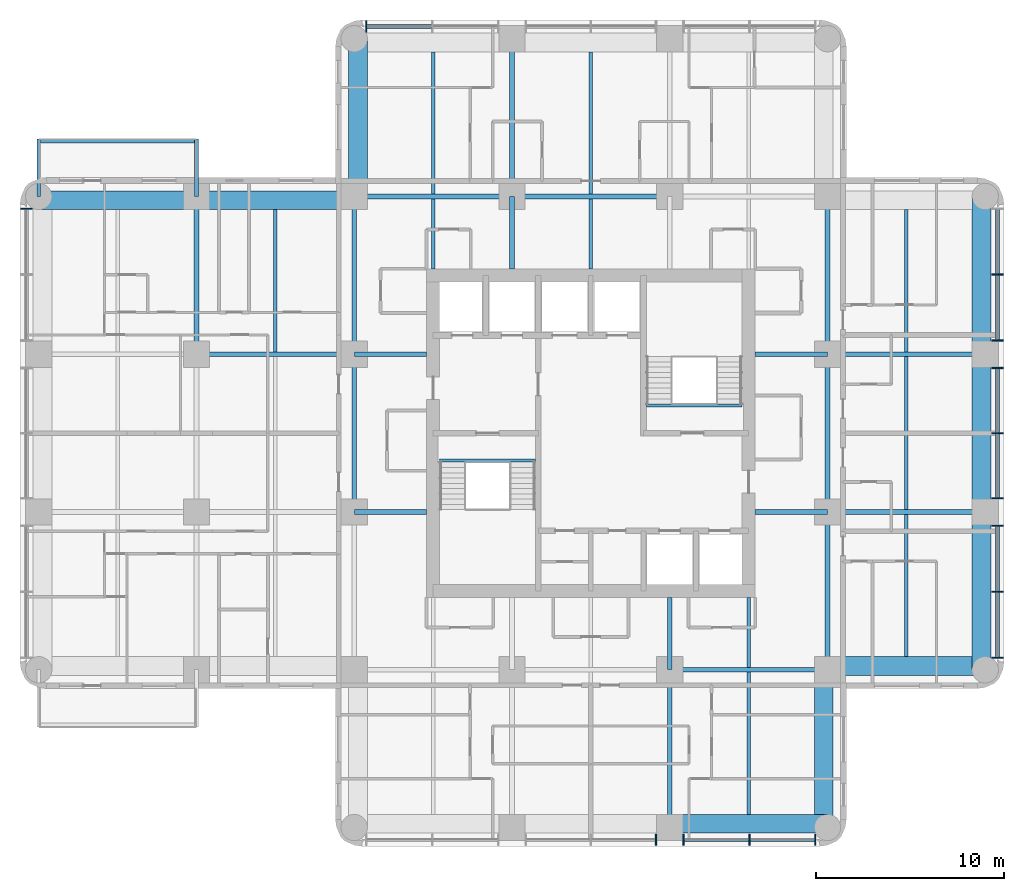
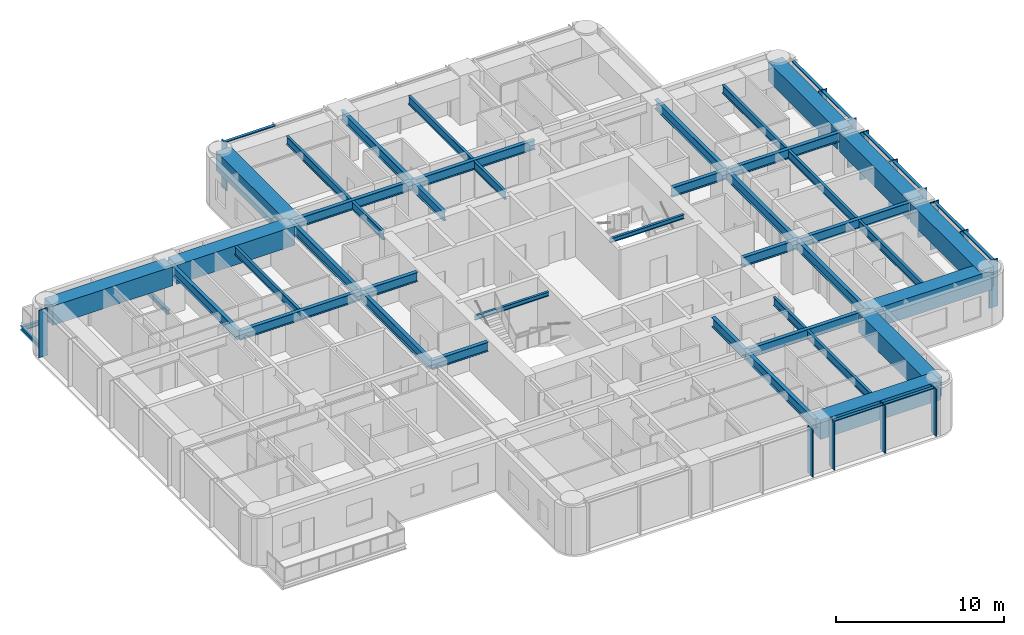
# One storey, part 2 of 12: 44 beams, 23 members, 4 elements without a shape of their own.
"""IFC4 building model written with IfcOpenShell, lengths in metres."""

from ifc_helpers import new_model, si_unit, direction, frame, origin, origin_2d, place, context, subcontext, project, spatial, rectangle, i_section, extrude, material, material_profile, profile_set, type_object, element, aggregate, save


model = new_model("IFC4")

# Units and contexts
model_context = context("Model", 3, precision=1e-05, world=origin(), true_north=direction((0.0, 1.0)))
body_context = subcontext(model_context, "Body", "Model", "MODEL_VIEW")
ifc_project = project(units=[si_unit("LENGTHUNIT", "METRE"), si_unit("AREAUNIT", "SQUARE_METRE"), si_unit("VOLUMEUNIT", "CUBIC_METRE"), si_unit("PLANEANGLEUNIT", "RADIAN"), si_unit("MASSUNIT", "GRAM", prefix="KILO")], contexts=[model_context])

# Site, building, storey
site_placement = place(None, origin())
site = spatial("IfcSite", under=ifc_project, at=site_placement, CompositionType="ELEMENT")
building_placement = place(site_placement, origin())
building = spatial("IfcBuilding", under=site, at=building_placement, Name="Torre Alcanfor", CompositionType="ELEMENT")
storey_placement = place(building_placement, frame((0.0, 0.0, 226.5)))
storey = spatial("IfcBuildingStorey", under=building, at=storey_placement, Name="L59", CompositionType="ELEMENT", Elevation=226.5)

# Beams
ifc_material_1 = material(Name="Steel ASTM A992 Grade 50", Category="steel")
ifc_material_profile_1 = material_profile(ifc_material_1, i_section(OverallWidth=0.205322265625, OverallDepth=0.309814453125, WebThickness=0.00927734375, FlangeThickness=0.016357421875, at=origin_2d()), Name="W12x50")
ifc_profile_set_1 = profile_set([ifc_material_profile_1], Name="Steel ASTM A992 Grade 50")
beam_type_1 = type_object("IfcBeamType", Name="Balcony cantilever beam W12x50", PredefinedType="BEAM", material=ifc_profile_set_1)
for number, where, z_axis, x_axis, name in (
    (1, (8.39990234375, 42.0, -0.35498046875), (0.0, 1.0, 0.0), (-1.0, 0.0, 0.0), "Balcony cantilever beam L59-W2 1"),
    (2, (0.0, 42.0, -0.35498046875), (0.0, 1.0, 0.0), (-1.0, 0.0, 0.0), "Balcony cantilever beam L59-W2 2"),
):
    element("IfcBeam", number, at=place(storey_placement, frame(where, z_axis=z_axis, x_axis=x_axis)), inside=storey, type_object=beam_type_1, Name=name, PredefinedType="BEAM", context=body_context, shape_type="SweptSolid", body=[
        extrude(i_section(OverallWidth=0.205322265625, OverallDepth=0.309814453125, WebThickness=0.00927734375, FlangeThickness=0.016357421875, at=origin_2d()), origin(), (0.0, 0.0, 1.0), 3.050048828125),
    ])
ifc_material_2 = material(Name="Steel ASTM A992 Grade 50", Category="steel")
ifc_material_profile_2 = material_profile(ifc_material_2, i_section(OverallWidth=0.203369140625, OverallDepth=0.30224609375, WebThickness=0.007568359375, FlangeThickness=0.01318359375, at=origin_2d()), Name="W12x40")
ifc_profile_set_2 = profile_set([ifc_material_profile_2], Name="Steel ASTM A992 Grade 50")
beam_type_2 = type_object("IfcBeamType", Name="Balcony edge trimmer W12x40", PredefinedType="BEAM", material=ifc_profile_set_2)
beam_1_placement = place(storey_placement, frame((8.39990234375, 44.9482421875, -0.35107421875), z_axis=(-1.0, 0.0, 0.0), x_axis=(0.0, -1.0, 0.0)))
element("IfcBeam", 3, at=beam_1_placement, inside=storey, type_object=beam_type_2, Name="Balcony edge trimmer L59-W2", PredefinedType="BEAM", context=body_context, shape_type="SweptSolid", body=[
    extrude(i_section(OverallWidth=0.203369140625, OverallDepth=0.30224609375, WebThickness=0.007568359375, FlangeThickness=0.01318359375, at=origin_2d()), origin(), (0.0, 0.0, 1.0), 8.39990234375),
])

# Curtain wall, member
ifc_material_3 = material(Name="Aluminium and glass", Category="aluminium")
curtain_wall_type = type_object("IfcCurtainWallType", Name="CW-A unitised apartment glazing with vertical FIN", PredefinedType="NOTDEFINED", material=ifc_material_3)
curtain_wall_1_placement = place(storey_placement, origin())
curtain_wall_1 = element("IfcCurtainWall", 4, at=curtain_wall_1_placement, inside=storey, type_object=curtain_wall_type, Name="Curtain wall CW-A L59 2", PredefinedType="NOTDEFINED")
ifc_material_4 = material(Name="Bronze anodised aluminium", Category="aluminium")
ifc_material_profile_3 = material_profile(ifc_material_4, rectangle(XDim=0.60009765625, YDim=0.06494140625, at=origin_2d()), Name="CW-A mullion 65x600")
ifc_profile_set_3 = profile_set([ifc_material_profile_3], Name="Bronze anodised aluminium")
member_type_1 = type_object("IfcMemberType", Name="CW-A mullion with vertical FIN 65x600", PredefinedType="MULLION", material=ifc_profile_set_3)
member_1_placement = place(storey_placement, frame((-0.64990234375, 41.35546875, 0.0), z_axis=(0.0, 0.0, 1.0), x_axis=(1.0, 0.0, 0.0)))
member_1 = element("IfcMember", 5, at=member_1_placement, type_object=member_type_1, Name="CW-A mullion 1.1", PredefinedType="MULLION", context=body_context, shape_type="SweptSolid", body=[
    extrude(rectangle(XDim=0.60009765625, YDim=0.06494140625, at=origin_2d()), origin(), (0.0, 0.0, 1.0), 3.449951171875),
])
aggregate(curtain_wall_1, [member_1])

# Curtain wall, members
curtain_wall_2_placement = place(storey_placement, origin())
curtain_wall_2 = element("IfcCurtainWall", 6, at=curtain_wall_2_placement, inside=storey, type_object=curtain_wall_type, Name="Curtain wall CW-A L59 5", PredefinedType="NOTDEFINED")
member_2_placement = place(storey_placement, frame((32.862548828125, 7.75, 0.0), z_axis=(0.0, 0.0, 1.0), x_axis=(0.0, 1.0, 0.0)))
member_2 = element("IfcMember", 7, at=member_2_placement, type_object=member_type_1, Name="CW-A mullion 2.3", PredefinedType="MULLION", context=body_context, shape_type="SweptSolid", body=[
    extrude(rectangle(XDim=0.60009765625, YDim=0.06494140625, at=origin_2d()), origin(), (0.0, 0.0, 1.0), 3.449951171875),
])
member_3_placement = place(storey_placement, frame((34.33740234375, 7.75, 0.0), z_axis=(0.0, 0.0, 1.0), x_axis=(0.0, 1.0, 0.0)))
member_3 = element("IfcMember", 8, at=member_3_placement, type_object=member_type_1, Name="CW-A mullion 3.1", PredefinedType="MULLION", context=body_context, shape_type="SweptSolid", body=[
    extrude(rectangle(XDim=0.60009765625, YDim=0.06494140625, at=origin_2d()), origin(), (0.0, 0.0, 1.0), 3.449951171875),
])
member_4_placement = place(storey_placement, frame((37.846435546875, 7.75, 0.0), z_axis=(0.0, 0.0, 1.0), x_axis=(0.0, 1.0, 0.0)))
member_4 = element("IfcMember", 9, at=member_4_placement, type_object=member_type_1, Name="CW-A mullion 3.2", PredefinedType="MULLION", context=body_context, shape_type="SweptSolid", body=[
    extrude(rectangle(XDim=0.60009765625, YDim=0.06494140625, at=origin_2d()), origin(), (0.0, 0.0, 1.0), 3.449951171875),
])
member_5_placement = place(storey_placement, frame((41.35546875, 7.75, 0.0), z_axis=(0.0, 0.0, 1.0), x_axis=(0.0, 1.0, 0.0)))
member_5 = element("IfcMember", 10, at=member_5_placement, type_object=member_type_1, Name="CW-A mullion 3.3", PredefinedType="MULLION", context=body_context, shape_type="SweptSolid", body=[
    extrude(rectangle(XDim=0.60009765625, YDim=0.06494140625, at=origin_2d()), origin(), (0.0, 0.0, 1.0), 3.449951171875),
])

curtain_wall_3_placement = place(storey_placement, origin())
curtain_wall_3 = element("IfcCurtainWall", 11, at=curtain_wall_3_placement, inside=storey, type_object=curtain_wall_type, Name="Curtain wall CW-A L59 8", PredefinedType="NOTDEFINED")
member_6_placement = place(storey_placement, frame((51.050048828125, 17.444580078125, 0.0), z_axis=(0.0, 0.0, 1.0), x_axis=(-1.0, 0.0, 0.0)))
member_6 = element("IfcMember", 12, at=member_6_placement, type_object=member_type_1, Name="CW-A mullion 1.1", PredefinedType="MULLION", context=body_context, shape_type="SweptSolid", body=[
    extrude(rectangle(XDim=0.60009765625, YDim=0.06494140625, at=origin_2d()), origin(), (0.0, 0.0, 1.0), 3.449951171875),
])
member_7_placement = place(storey_placement, frame((51.050048828125, 20.95361328125, 0.0), z_axis=(0.0, 0.0, 1.0), x_axis=(-1.0, 0.0, 0.0)))
member_7 = element("IfcMember", 13, at=member_7_placement, type_object=member_type_1, Name="CW-A mullion 1.2", PredefinedType="MULLION", context=body_context, shape_type="SweptSolid", body=[
    extrude(rectangle(XDim=0.60009765625, YDim=0.06494140625, at=origin_2d()), origin(), (0.0, 0.0, 1.0), 3.449951171875),
])
member_8_placement = place(storey_placement, frame((51.050048828125, 24.46240234375, 0.0), z_axis=(0.0, 0.0, 1.0), x_axis=(-1.0, 0.0, 0.0)))
member_8 = element("IfcMember", 14, at=member_8_placement, type_object=member_type_1, Name="CW-A mullion 1.3", PredefinedType="MULLION", context=body_context, shape_type="SweptSolid", body=[
    extrude(rectangle(XDim=0.60009765625, YDim=0.06494140625, at=origin_2d()), origin(), (0.0, 0.0, 1.0), 3.449951171875),
])
member_9_placement = place(storey_placement, frame((51.050048828125, 25.9375, 0.0), z_axis=(0.0, 0.0, 1.0), x_axis=(-1.0, 0.0, 0.0)))
member_9 = element("IfcMember", 15, at=member_9_placement, type_object=member_type_1, Name="CW-A mullion 2.1", PredefinedType="MULLION", context=body_context, shape_type="SweptSolid", body=[
    extrude(rectangle(XDim=0.60009765625, YDim=0.06494140625, at=origin_2d()), origin(), (0.0, 0.0, 1.0), 3.449951171875),
])
member_10_placement = place(storey_placement, frame((51.050048828125, 29.39990234375, 0.0), z_axis=(0.0, 0.0, 1.0), x_axis=(-1.0, 0.0, 0.0)))
member_10 = element("IfcMember", 16, at=member_10_placement, type_object=member_type_1, Name="CW-A mullion 2.2", PredefinedType="MULLION", context=body_context, shape_type="SweptSolid", body=[
    extrude(rectangle(XDim=0.60009765625, YDim=0.06494140625, at=origin_2d()), origin(), (0.0, 0.0, 1.0), 3.449951171875),
])
member_11_placement = place(storey_placement, frame((51.050048828125, 32.862548828125, 0.0), z_axis=(0.0, 0.0, 1.0), x_axis=(-1.0, 0.0, 0.0)))
member_11 = element("IfcMember", 17, at=member_11_placement, type_object=member_type_1, Name="CW-A mullion 2.3", PredefinedType="MULLION", context=body_context, shape_type="SweptSolid", body=[
    extrude(rectangle(XDim=0.60009765625, YDim=0.06494140625, at=origin_2d()), origin(), (0.0, 0.0, 1.0), 3.449951171875),
])
member_12_placement = place(storey_placement, frame((51.050048828125, 34.33740234375, 0.0), z_axis=(0.0, 0.0, 1.0), x_axis=(-1.0, 0.0, 0.0)))
member_12 = element("IfcMember", 18, at=member_12_placement, type_object=member_type_1, Name="CW-A mullion 3.1", PredefinedType="MULLION", context=body_context, shape_type="SweptSolid", body=[
    extrude(rectangle(XDim=0.60009765625, YDim=0.06494140625, at=origin_2d()), origin(), (0.0, 0.0, 1.0), 3.449951171875),
])
member_13_placement = place(storey_placement, frame((51.050048828125, 37.846435546875, 0.0), z_axis=(0.0, 0.0, 1.0), x_axis=(-1.0, 0.0, 0.0)))
member_13 = element("IfcMember", 19, at=member_13_placement, type_object=member_type_1, Name="CW-A mullion 3.2", PredefinedType="MULLION", context=body_context, shape_type="SweptSolid", body=[
    extrude(rectangle(XDim=0.60009765625, YDim=0.06494140625, at=origin_2d()), origin(), (0.0, 0.0, 1.0), 3.449951171875),
])

# Curtain wall, member
curtain_wall_4_placement = place(storey_placement, origin())
curtain_wall_4 = element("IfcCurtainWall", 20, at=curtain_wall_4_placement, inside=storey, type_object=curtain_wall_type, Name="Curtain wall CW-A L59 11", PredefinedType="NOTDEFINED")
member_14_placement = place(storey_placement, frame((17.444580078125, 51.050048828125, 0.0), z_axis=(0.0, 0.0, 1.0), x_axis=(0.0, -1.0, 0.0)))
member_14 = element("IfcMember", 21, at=member_14_placement, type_object=member_type_1, Name="CW-A mullion 3.3", PredefinedType="MULLION", context=body_context, shape_type="SweptSolid", body=[
    extrude(rectangle(XDim=0.60009765625, YDim=0.06494140625, at=origin_2d()), origin(), (0.0, 0.0, 1.0), 3.449951171875),
])

# Member
ifc_material_5 = material(Name="Extruded aluminium", Category="aluminium")
ifc_material_profile_4 = material_profile(ifc_material_5, rectangle(XDim=0.199951171875, YDim=0.06494140625, at=origin_2d()), Name="CW-A transom 200x65")
ifc_profile_set_4 = profile_set([ifc_material_profile_4], Name="Extruded aluminium")
member_type_2 = type_object("IfcMemberType", Name="CW-A transom 65x200", PredefinedType="USERDEFINED", material=ifc_profile_set_4)
member_15_placement = place(storey_placement, frame((34.3701171875, 7.75, 3.41748046875), z_axis=(1.0, 0.0, 0.0), x_axis=(0.0, 1.0, 0.0)))
member_15 = element("IfcMember", 22, at=member_15_placement, type_object=member_type_2, Name="CW-A transom 3.1.2", ObjectType="TRANSOM", PredefinedType="USERDEFINED", context=body_context, shape_type="SweptSolid", body=[
    extrude(rectangle(XDim=0.199951171875, YDim=0.06494140625, at=origin_2d()), origin(), (0.0, 0.0, 1.0), 3.44384765625),
])

member_16_placement = place(storey_placement, frame((37.87890625, 7.75, 3.41748046875), z_axis=(1.0, 0.0, 0.0), x_axis=(0.0, 1.0, 0.0)))
member_16 = element("IfcMember", 23, at=member_16_placement, type_object=member_type_2, Name="CW-A transom 3.2.2", ObjectType="TRANSOM", PredefinedType="USERDEFINED", context=body_context, shape_type="SweptSolid", body=[
    extrude(rectangle(XDim=0.199951171875, YDim=0.06494140625, at=origin_2d()), origin(), (0.0, 0.0, 1.0), 3.444091796875),
])

aggregate(curtain_wall_2, [member_2, member_3, member_4, member_5, member_15, member_16])

member_17_placement = place(storey_placement, frame((51.050048828125, 17.47705078125, 3.41748046875), z_axis=(0.0, 1.0, 0.0), x_axis=(-1.0, 0.0, 0.0)))
member_17 = element("IfcMember", 24, at=member_17_placement, type_object=member_type_2, Name="CW-A transom 1.1.2", ObjectType="TRANSOM", PredefinedType="USERDEFINED", context=body_context, shape_type="SweptSolid", body=[
    extrude(rectangle(XDim=0.199951171875, YDim=0.06494140625, at=origin_2d()), origin(), (0.0, 0.0, 1.0), 3.44384765625),
])

member_18_placement = place(storey_placement, frame((51.050048828125, 20.986083984375, 3.41748046875), z_axis=(0.0, 1.0, 0.0), x_axis=(-1.0, 0.0, 0.0)))
member_18 = element("IfcMember", 25, at=member_18_placement, type_object=member_type_2, Name="CW-A transom 1.2.2", ObjectType="TRANSOM", PredefinedType="USERDEFINED", context=body_context, shape_type="SweptSolid", body=[
    extrude(rectangle(XDim=0.199951171875, YDim=0.06494140625, at=origin_2d()), origin(), (0.0, 0.0, 1.0), 3.44384765625),
])

member_19_placement = place(storey_placement, frame((51.050048828125, 25.969970703125, 3.41748046875), z_axis=(0.0, 1.0, 0.0), x_axis=(-1.0, 0.0, 0.0)))
member_19 = element("IfcMember", 26, at=member_19_placement, type_object=member_type_2, Name="CW-A transom 2.1.2", ObjectType="TRANSOM", PredefinedType="USERDEFINED", context=body_context, shape_type="SweptSolid", body=[
    extrude(rectangle(XDim=0.199951171875, YDim=0.06494140625, at=origin_2d()), origin(), (0.0, 0.0, 1.0), 3.3974609375),
])

member_20_placement = place(storey_placement, frame((51.050048828125, 29.4326171875, 3.41748046875), z_axis=(0.0, 1.0, 0.0), x_axis=(-1.0, 0.0, 0.0)))
member_20 = element("IfcMember", 27, at=member_20_placement, type_object=member_type_2, Name="CW-A transom 2.2.2", ObjectType="TRANSOM", PredefinedType="USERDEFINED", context=body_context, shape_type="SweptSolid", body=[
    extrude(rectangle(XDim=0.199951171875, YDim=0.06494140625, at=origin_2d()), origin(), (0.0, 0.0, 1.0), 3.3974609375),
])

member_21_placement = place(storey_placement, frame((51.050048828125, 34.3701171875, 3.41748046875), z_axis=(0.0, 1.0, 0.0), x_axis=(-1.0, 0.0, 0.0)))
member_21 = element("IfcMember", 28, at=member_21_placement, type_object=member_type_2, Name="CW-A transom 3.1.2", ObjectType="TRANSOM", PredefinedType="USERDEFINED", context=body_context, shape_type="SweptSolid", body=[
    extrude(rectangle(XDim=0.199951171875, YDim=0.06494140625, at=origin_2d()), origin(), (0.0, 0.0, 1.0), 3.44384765625),
])

member_22_placement = place(storey_placement, frame((51.050048828125, 37.87890625, 3.41748046875), z_axis=(0.0, 1.0, 0.0), x_axis=(-1.0, 0.0, 0.0)))
member_22 = element("IfcMember", 29, at=member_22_placement, type_object=member_type_2, Name="CW-A transom 3.2.2", ObjectType="TRANSOM", PredefinedType="USERDEFINED", context=body_context, shape_type="SweptSolid", body=[
    extrude(rectangle(XDim=0.199951171875, YDim=0.06494140625, at=origin_2d()), origin(), (0.0, 0.0, 1.0), 3.444091796875),
])

aggregate(curtain_wall_3, [member_6, member_7, member_8, member_17, member_18, member_9, member_10, member_11, member_19, member_20, member_12, member_13, member_21, member_22])

member_23_placement = place(storey_placement, frame((20.9208984375, 51.050048828125, 3.41748046875), z_axis=(-1.0, 0.0, 0.0), x_axis=(0.0, -1.0, 0.0)))
member_23 = element("IfcMember", 30, at=member_23_placement, type_object=member_type_2, Name="CW-A transom 3.2.2", ObjectType="TRANSOM", PredefinedType="USERDEFINED", context=body_context, shape_type="SweptSolid", body=[
    extrude(rectangle(XDim=0.199951171875, YDim=0.06494140625, at=origin_2d()), origin(), (0.0, 0.0, 1.0), 3.44384765625),
])

aggregate(curtain_wall_4, [member_14, member_23])

# Beams
ifc_material_6 = material(Name="Steel ASTM A992 Grade 50", Category="steel")
ifc_material_profile_5 = material_profile(ifc_material_6, i_section(OverallWidth=0.25390625, OverallDepth=0.683349609375, WebThickness=0.012451171875, FlangeThickness=0.01904296875, at=origin_2d()), Name="W27x94")
ifc_profile_set_5 = profile_set([ifc_material_profile_5], Name="Steel ASTM A992 Grade 50")
beam_type_3 = type_object("IfcBeamType", Name="Girder W27x94", PredefinedType="BEAM", material=ifc_profile_set_5)
for number, where, z_axis, x_axis, name in (
    (31, (33.60009765625, 16.800048828125, 3.1083984375), (1.0, 0.0, 0.0), (0.0, 1.0, 0.0), "Beam 5E-6E under L60"),
    (32, (42.0, 25.199951171875, 3.1083984375), (1.0, 0.0, 0.0), (0.0, 1.0, 0.0), "Beam 6F-7F under L60"),
):
    element("IfcBeam", number, at=place(storey_placement, frame(where, z_axis=z_axis, x_axis=x_axis)), inside=storey, type_object=beam_type_3, Name=name, PredefinedType="BEAM", context=body_context, shape_type="SweptSolid", body=[
        extrude(i_section(OverallWidth=0.25390625, OverallDepth=0.683349609375, WebThickness=0.012451171875, FlangeThickness=0.01904296875, at=origin_2d()), origin(), (0.0, 0.0, 1.0), 8.39990234375),
    ])
beam_2_placement = place(storey_placement, frame((8.39990234375, 33.60009765625, 3.1083984375), z_axis=(1.0, 0.0, 0.0), x_axis=(0.0, 1.0, 0.0)))
element("IfcBeam", 33, at=beam_2_placement, inside=storey, type_object=beam_type_3, Name="Beam 2G-3G under L60", PredefinedType="BEAM", context=body_context, shape_type="SweptSolid", body=[
    extrude(i_section(OverallWidth=0.25390625, OverallDepth=0.683349609375, WebThickness=0.012451171875, FlangeThickness=0.01904296875, at=origin_2d()), origin(), (0.0, 0.0, 1.0), 8.400146484375),
])
for number, where, z_axis, x_axis, name in (
    (34, (42.0, 33.60009765625, 3.1083984375), (1.0, 0.0, 0.0), (0.0, 1.0, 0.0), "Beam 6G-7G under L60"),
    (35, (16.800048828125, 42.0, 3.1083984375), (1.0, 0.0, 0.0), (0.0, 1.0, 0.0), "Beam 3H-4H under L60"),
):
    element("IfcBeam", number, at=place(storey_placement, frame(where, z_axis=z_axis, x_axis=x_axis)), inside=storey, type_object=beam_type_3, Name=name, PredefinedType="BEAM", context=body_context, shape_type="SweptSolid", body=[
        extrude(i_section(OverallWidth=0.25390625, OverallDepth=0.683349609375, WebThickness=0.012451171875, FlangeThickness=0.01904296875, at=origin_2d()), origin(), (0.0, 0.0, 1.0), 8.39990234375),
    ])
beam_3_placement = place(storey_placement, frame((25.199951171875, 42.0, 3.1083984375), z_axis=(1.0, 0.0, 0.0), x_axis=(0.0, 1.0, 0.0)))
element("IfcBeam", 36, at=beam_3_placement, inside=storey, type_object=beam_type_3, Name="Beam 4H-5H under L60", PredefinedType="BEAM", context=body_context, shape_type="SweptSolid", body=[
    extrude(i_section(OverallWidth=0.25390625, OverallDepth=0.683349609375, WebThickness=0.012451171875, FlangeThickness=0.01904296875, at=origin_2d()), origin(), (0.0, 0.0, 1.0), 8.400146484375),
])
beam_4_placement = place(storey_placement, frame((8.39990234375, 33.60009765625, 3.1083984375), z_axis=(0.0, 1.0, 0.0), x_axis=(-1.0, 0.0, 0.0)))
element("IfcBeam", 37, at=beam_4_placement, inside=storey, type_object=beam_type_3, Name="Beam 2G-2H under L60", PredefinedType="BEAM", context=body_context, shape_type="SweptSolid", body=[
    extrude(i_section(OverallWidth=0.25390625, OverallDepth=0.683349609375, WebThickness=0.012451171875, FlangeThickness=0.01904296875, at=origin_2d()), origin(), (0.0, 0.0, 1.0), 8.39990234375),
])
beam_5_placement = place(storey_placement, frame((16.800048828125, 25.199951171875, 3.1083984375), z_axis=(0.0, 1.0, 0.0), x_axis=(-1.0, 0.0, 0.0)))
element("IfcBeam", 38, at=beam_5_placement, inside=storey, type_object=beam_type_3, Name="Beam 3F-3G under L60", PredefinedType="BEAM", context=body_context, shape_type="SweptSolid", body=[
    extrude(i_section(OverallWidth=0.25390625, OverallDepth=0.683349609375, WebThickness=0.012451171875, FlangeThickness=0.01904296875, at=origin_2d()), origin(), (0.0, 0.0, 1.0), 8.400146484375),
])
for number, where, z_axis, x_axis, name in (
    (39, (16.800048828125, 33.60009765625, 3.1083984375), (0.0, 1.0, 0.0), (-1.0, 0.0, 0.0), "Beam 3G-3H under L60"),
    (40, (25.199951171875, 42.0, 3.1083984375), (0.0, 1.0, 0.0), (-1.0, 0.0, 0.0), "Beam 4H-4J under L60"),
):
    element("IfcBeam", number, at=place(storey_placement, frame(where, z_axis=z_axis, x_axis=x_axis)), inside=storey, type_object=beam_type_3, Name=name, PredefinedType="BEAM", context=body_context, shape_type="SweptSolid", body=[
        extrude(i_section(OverallWidth=0.25390625, OverallDepth=0.683349609375, WebThickness=0.012451171875, FlangeThickness=0.01904296875, at=origin_2d()), origin(), (0.0, 0.0, 1.0), 8.39990234375),
    ])
beam_6_placement = place(storey_placement, frame((33.60009765625, 8.39990234375, 3.1083984375), z_axis=(0.0, 1.0, 0.0), x_axis=(-1.0, 0.0, 0.0)))
element("IfcBeam", 41, at=beam_6_placement, inside=storey, type_object=beam_type_3, Name="Beam 5D-5E under L60", PredefinedType="BEAM", context=body_context, shape_type="SweptSolid", body=[
    extrude(i_section(OverallWidth=0.25390625, OverallDepth=0.683349609375, WebThickness=0.012451171875, FlangeThickness=0.01904296875, at=origin_2d()), origin(), (0.0, 0.0, 1.0), 8.400146484375),
])
beam_7_placement = place(storey_placement, frame((42.0, 16.800048828125, 3.1083984375), z_axis=(0.0, 1.0, 0.0), x_axis=(-1.0, 0.0, 0.0)))
element("IfcBeam", 42, at=beam_7_placement, inside=storey, type_object=beam_type_3, Name="Beam 6E-6F under L60", PredefinedType="BEAM", context=body_context, shape_type="SweptSolid", body=[
    extrude(i_section(OverallWidth=0.25390625, OverallDepth=0.683349609375, WebThickness=0.012451171875, FlangeThickness=0.01904296875, at=origin_2d()), origin(), (0.0, 0.0, 1.0), 8.39990234375),
])
beam_8_placement = place(storey_placement, frame((42.0, 25.199951171875, 3.1083984375), z_axis=(0.0, 1.0, 0.0), x_axis=(-1.0, 0.0, 0.0)))
element("IfcBeam", 43, at=beam_8_placement, inside=storey, type_object=beam_type_3, Name="Beam 6F-6G under L60", PredefinedType="BEAM", context=body_context, shape_type="SweptSolid", body=[
    extrude(i_section(OverallWidth=0.25390625, OverallDepth=0.683349609375, WebThickness=0.012451171875, FlangeThickness=0.01904296875, at=origin_2d()), origin(), (0.0, 0.0, 1.0), 8.400146484375),
])
beam_9_placement = place(storey_placement, frame((42.0, 33.60009765625, 3.1083984375), z_axis=(0.0, 1.0, 0.0), x_axis=(-1.0, 0.0, 0.0)))
element("IfcBeam", 44, at=beam_9_placement, inside=storey, type_object=beam_type_3, Name="Beam 6G-6H under L60", PredefinedType="BEAM", context=body_context, shape_type="SweptSolid", body=[
    extrude(i_section(OverallWidth=0.25390625, OverallDepth=0.683349609375, WebThickness=0.012451171875, FlangeThickness=0.01904296875, at=origin_2d()), origin(), (0.0, 0.0, 1.0), 8.39990234375),
])
ifc_material_7 = material(Name="Steel ASTM A992 Grade 50", Category="steel")
ifc_material_profile_6 = material_profile(ifc_material_7, i_section(OverallWidth=0.25390625, OverallDepth=0.683349609375, WebThickness=0.012451171875, FlangeThickness=0.01904296875, at=origin_2d()), Name="W27x94")
ifc_profile_set_6 = profile_set([ifc_material_profile_6], Name="Steel ASTM A992 Grade 50")
beam_type_4 = type_object("IfcBeamType", Name="Girder, part bay W27x94", PredefinedType="BEAM", material=ifc_profile_set_6)
beam_10_placement = place(storey_placement, frame((25.199951171875, 42.0, 3.1083984375), z_axis=(0.0, -1.0, 0.0), x_axis=(1.0, 0.0, 0.0)))
element("IfcBeam", 45, at=beam_10_placement, inside=storey, type_object=beam_type_4, Name="Beam 4H-438_15 under L60", PredefinedType="BEAM", context=body_context, shape_type="SweptSolid", body=[
    extrude(i_section(OverallWidth=0.25390625, OverallDepth=0.683349609375, WebThickness=0.012451171875, FlangeThickness=0.01904296875, at=origin_2d()), origin(), (0.0, 0.0, 1.0), 3.85009765625),
])
for number, where, z_axis, x_axis, name in (
    (46, (33.60009765625, 16.800048828125, 3.1083984375), (0.0, 1.0, 0.0), (-1.0, 0.0, 0.0), "Beam 5E-520_65 under L60"),
    (47, (16.800048828125, 25.199951171875, 3.1083984375), (1.0, 0.0, 0.0), (0.0, 1.0, 0.0), "Beam 3F-20_65F under L60"),
):
    element("IfcBeam", number, at=place(storey_placement, frame(where, z_axis=z_axis, x_axis=x_axis)), inside=storey, type_object=beam_type_4, Name=name, PredefinedType="BEAM", context=body_context, shape_type="SweptSolid", body=[
        extrude(i_section(OverallWidth=0.25390625, OverallDepth=0.683349609375, WebThickness=0.012451171875, FlangeThickness=0.01904296875, at=origin_2d()), origin(), (0.0, 0.0, 1.0), 3.849853515625),
    ])
beam_11_placement = place(storey_placement, frame((42.0, 25.199951171875, 3.1083984375), z_axis=(-1.0, 0.0, 0.0), x_axis=(0.0, -1.0, 0.0)))
element("IfcBeam", 48, at=beam_11_placement, inside=storey, type_object=beam_type_4, Name="Beam 6F-38_15F under L60", PredefinedType="BEAM", context=body_context, shape_type="SweptSolid", body=[
    extrude(i_section(OverallWidth=0.25390625, OverallDepth=0.683349609375, WebThickness=0.012451171875, FlangeThickness=0.01904296875, at=origin_2d()), origin(), (0.0, 0.0, 1.0), 3.85009765625),
])
beam_12_placement = place(storey_placement, frame((16.800048828125, 33.60009765625, 3.1083984375), z_axis=(1.0, 0.0, 0.0), x_axis=(0.0, 1.0, 0.0)))
element("IfcBeam", 49, at=beam_12_placement, inside=storey, type_object=beam_type_4, Name="Beam 3G-20_65G under L60", PredefinedType="BEAM", context=body_context, shape_type="SweptSolid", body=[
    extrude(i_section(OverallWidth=0.25390625, OverallDepth=0.683349609375, WebThickness=0.012451171875, FlangeThickness=0.01904296875, at=origin_2d()), origin(), (0.0, 0.0, 1.0), 3.849853515625),
])
beam_13_placement = place(storey_placement, frame((42.0, 33.60009765625, 3.1083984375), z_axis=(-1.0, 0.0, 0.0), x_axis=(0.0, -1.0, 0.0)))
element("IfcBeam", 50, at=beam_13_placement, inside=storey, type_object=beam_type_4, Name="Beam 6G-38_15G under L60", PredefinedType="BEAM", context=body_context, shape_type="SweptSolid", body=[
    extrude(i_section(OverallWidth=0.25390625, OverallDepth=0.683349609375, WebThickness=0.012451171875, FlangeThickness=0.01904296875, at=origin_2d()), origin(), (0.0, 0.0, 1.0), 3.85009765625),
])
ifc_material_8 = material(Name="Concrete f'c 70 MPa", Category="concrete")
ifc_material_profile_7 = material_profile(ifc_material_8, rectangle(XDim=1.0, YDim=1.39990234375, at=origin_2d()), Name="1000x1400")
ifc_profile_set_7 = profile_set([ifc_material_profile_7], Name="Concrete f'c 70 MPa")
beam_type_5 = type_object("IfcBeamType", Name="RC perimeter beam 1000x1400", PredefinedType="BEAM", material=ifc_profile_set_7)
for number, where, z_axis, x_axis, name in (
    (51, (33.72705078125, 8.60009765625, 2.75), (1.0, 0.0, 0.0), (0.0, 1.0, 0.0), "Beam 5D-6D under L60"),
    (52, (42.126953125, 17.0, 2.75), (1.0, 0.0, 0.0), (0.0, 1.0, 0.0), "Beam 6E-7E under L60"),
    (53, (0.0, 41.800048828125, 2.75), (1.0, 0.0, 0.0), (0.0, 1.0, 0.0), "Beam 1H-2H under L60"),
):
    element("IfcBeam", number, at=place(storey_placement, frame(where, z_axis=z_axis, x_axis=x_axis)), inside=storey, type_object=beam_type_5, Name=name, PredefinedType="BEAM", context=body_context, shape_type="SweptSolid", body=[
        extrude(rectangle(XDim=1.0, YDim=1.39990234375, at=origin_2d()), origin(), (0.0, 0.0, 1.0), 8.27294921875),
    ])
beam_14_placement = place(storey_placement, frame((8.527099609375, 41.800048828125, 2.75), z_axis=(1.0, 0.0, 0.0), x_axis=(0.0, 1.0, 0.0)))
element("IfcBeam", 54, at=beam_14_placement, inside=storey, type_object=beam_type_5, Name="Beam 2H-3H under L60", PredefinedType="BEAM", context=body_context, shape_type="SweptSolid", body=[
    extrude(rectangle(XDim=1.0, YDim=1.39990234375, at=origin_2d()), origin(), (0.0, 0.0, 1.0), 8.14599609375),
])
beam_15_placement = place(storey_placement, frame((17.0, 42.126953125, 2.75), z_axis=(0.0, 1.0, 0.0), x_axis=(-1.0, 0.0, 0.0)))
element("IfcBeam", 55, at=beam_15_placement, inside=storey, type_object=beam_type_5, Name="Beam 3H-3J under L60", PredefinedType="BEAM", context=body_context, shape_type="SweptSolid", body=[
    extrude(rectangle(XDim=1.0, YDim=1.39990234375, at=origin_2d()), origin(), (0.0, 0.0, 1.0), 8.27294921875),
])
beam_16_placement = place(storey_placement, frame((41.800048828125, 8.39990234375, 2.75), z_axis=(0.0, 1.0, 0.0), x_axis=(-1.0, 0.0, 0.0)))
element("IfcBeam", 56, at=beam_16_placement, inside=storey, type_object=beam_type_5, Name="Beam 6D-6E under L60", PredefinedType="BEAM", context=body_context, shape_type="SweptSolid", body=[
    extrude(rectangle(XDim=1.0, YDim=1.39990234375, at=origin_2d()), origin(), (0.0, 0.0, 1.0), 8.273193359375),
])
beam_17_placement = place(storey_placement, frame((50.199951171875, 16.800048828125, 2.75), z_axis=(0.0, 1.0, 0.0), x_axis=(-1.0, 0.0, 0.0)))
element("IfcBeam", 57, at=beam_17_placement, inside=storey, type_object=beam_type_5, Name="Beam 7E-7F under L60", PredefinedType="BEAM", context=body_context, shape_type="SweptSolid", body=[
    extrude(rectangle(XDim=1.0, YDim=1.39990234375, at=origin_2d()), origin(), (0.0, 0.0, 1.0), 8.27294921875),
])
beam_18_placement = place(storey_placement, frame((50.199951171875, 25.326904296875, 2.75), z_axis=(0.0, 1.0, 0.0), x_axis=(-1.0, 0.0, 0.0)))
element("IfcBeam", 58, at=beam_18_placement, inside=storey, type_object=beam_type_5, Name="Beam 7F-7G under L60", PredefinedType="BEAM", context=body_context, shape_type="SweptSolid", body=[
    extrude(rectangle(XDim=1.0, YDim=1.39990234375, at=origin_2d()), origin(), (0.0, 0.0, 1.0), 8.14599609375),
])
beam_19_placement = place(storey_placement, frame((50.199951171875, 33.72705078125, 2.75), z_axis=(0.0, 1.0, 0.0), x_axis=(-1.0, 0.0, 0.0)))
element("IfcBeam", 59, at=beam_19_placement, inside=storey, type_object=beam_type_5, Name="Beam 7G-7H under L60", PredefinedType="BEAM", context=body_context, shape_type="SweptSolid", body=[
    extrude(rectangle(XDim=1.0, YDim=1.39990234375, at=origin_2d()), origin(), (0.0, 0.0, 1.0), 8.27294921875),
])
ifc_material_9 = material(Name="Steel ASTM A992 Grade 50", Category="steel")
ifc_material_profile_8 = material_profile(ifc_material_9, i_section(OverallWidth=0.1787109375, OverallDepth=0.60205078125, WebThickness=0.010986328125, FlangeThickness=0.014892578125, at=origin_2d()), Name="W24x62")
ifc_profile_set_8 = profile_set([ifc_material_profile_8], Name="Steel ASTM A992 Grade 50")
beam_type_6 = type_object("IfcBeamType", Name="Secondary beam W24x62", PredefinedType="BEAM", material=ifc_profile_set_8)
for number, where, z_axis, x_axis, name in (
    (60, (12.60009765625, 33.72705078125, 3.14892578125), (0.0, 1.0, 0.0), (-1.0, 0.0, 0.0), "Beam 12_6G-12_6H under L60"),
    (61, (21.0, 42.126953125, 3.14892578125), (0.0, 1.0, 0.0), (-1.0, 0.0, 0.0), "Beam 21H-21J under L60"),
    (62, (29.39990234375, 42.126953125, 3.14892578125), (0.0, 1.0, 0.0), (-1.0, 0.0, 0.0), "Beam 29_4H-29_4J under L60"),
    (63, (37.800048828125, 9.10009765625, 3.14892578125), (0.0, 1.0, 0.0), (-1.0, 0.0, 0.0), "Beam 37_8D-37_8E under L60"),
    (64, (46.199951171875, 17.5, 3.14892578125), (0.0, 1.0, 0.0), (-1.0, 0.0, 0.0), "Beam 46_2E-46_2F under L60"),
):
    element("IfcBeam", number, at=place(storey_placement, frame(where, z_axis=z_axis, x_axis=x_axis)), inside=storey, type_object=beam_type_6, Name=name, PredefinedType="BEAM", context=body_context, shape_type="SweptSolid", body=[
        extrude(i_section(OverallWidth=0.1787109375, OverallDepth=0.60205078125, WebThickness=0.010986328125, FlangeThickness=0.014892578125, at=origin_2d()), origin(), (0.0, 0.0, 1.0), 7.572998046875),
    ])
beam_20_placement = place(storey_placement, frame((46.199951171875, 25.326904296875, 3.14892578125), z_axis=(0.0, 1.0, 0.0), x_axis=(-1.0, 0.0, 0.0)))
element("IfcBeam", 65, at=beam_20_placement, inside=storey, type_object=beam_type_6, Name="Beam 46_2F-46_2G under L60", PredefinedType="BEAM", context=body_context, shape_type="SweptSolid", body=[
    extrude(i_section(OverallWidth=0.1787109375, OverallDepth=0.60205078125, WebThickness=0.010986328125, FlangeThickness=0.014892578125, at=origin_2d()), origin(), (0.0, 0.0, 1.0), 8.14599609375),
])
beam_21_placement = place(storey_placement, frame((46.199951171875, 33.72705078125, 3.14892578125), z_axis=(0.0, 1.0, 0.0), x_axis=(-1.0, 0.0, 0.0)))
element("IfcBeam", 66, at=beam_21_placement, inside=storey, type_object=beam_type_6, Name="Beam 46_2G-46_2H under L60", PredefinedType="BEAM", context=body_context, shape_type="SweptSolid", body=[
    extrude(i_section(OverallWidth=0.1787109375, OverallDepth=0.60205078125, WebThickness=0.010986328125, FlangeThickness=0.014892578125, at=origin_2d()), origin(), (0.0, 0.0, 1.0), 7.572998046875),
])
ifc_material_10 = material(Name="Steel ASTM A992 Grade 50", Category="steel")
ifc_material_profile_9 = material_profile(ifc_material_10, i_section(OverallWidth=0.1787109375, OverallDepth=0.60205078125, WebThickness=0.010986328125, FlangeThickness=0.014892578125, at=origin_2d()), Name="W24x62")
ifc_profile_set_9 = profile_set([ifc_material_profile_9], Name="Steel ASTM A992 Grade 50")
beam_type_7 = type_object("IfcBeamType", Name="Secondary beam, part bay W24x62", PredefinedType="BEAM", material=ifc_profile_set_9)
for number, where, z_axis, x_axis, name in (
    (67, (21.0, 38.14990234375, 3.14892578125), (0.0, 1.0, 0.0), (-1.0, 0.0, 0.0), "Beam 2138_15-21H under L60"),
    (68, (29.39990234375, 38.14990234375, 3.14892578125), (0.0, 1.0, 0.0), (-1.0, 0.0, 0.0), "Beam 29_438_15-29_4H under L60"),
):
    element("IfcBeam", number, at=place(storey_placement, frame(where, z_axis=z_axis, x_axis=x_axis)), inside=storey, type_object=beam_type_7, Name=name, PredefinedType="BEAM", context=body_context, shape_type="SweptSolid", body=[
        extrude(i_section(OverallWidth=0.1787109375, OverallDepth=0.60205078125, WebThickness=0.010986328125, FlangeThickness=0.014892578125, at=origin_2d()), origin(), (0.0, 0.0, 1.0), 3.72314453125),
    ])
beam_22_placement = place(storey_placement, frame((37.800048828125, 16.927001953125, 3.14892578125), z_axis=(0.0, 1.0, 0.0), x_axis=(-1.0, 0.0, 0.0)))
element("IfcBeam", 69, at=beam_22_placement, inside=storey, type_object=beam_type_7, Name="Beam 37_8E-37_820_65 under L60", PredefinedType="BEAM", context=body_context, shape_type="SweptSolid", body=[
    extrude(i_section(OverallWidth=0.1787109375, OverallDepth=0.60205078125, WebThickness=0.010986328125, FlangeThickness=0.014892578125, at=origin_2d()), origin(), (0.0, 0.0, 1.0), 3.722900390625),
])
ifc_material_11 = material(Name="Steel ASTM A992 Grade 50", Category="steel")
ifc_material_profile_10 = material_profile(ifc_material_11, i_section(OverallWidth=0.164794921875, OverallDepth=0.309814453125, WebThickness=0.005859375, FlangeThickness=0.009765625, at=origin_2d()), Name="W12x26")
ifc_profile_set_10 = profile_set([ifc_material_profile_10], Name="Steel ASTM A992 Grade 50")
beam_type_8 = type_object("IfcBeamType", Name="Stair landing beam W12x26", PredefinedType="BEAM", material=ifc_profile_set_10)
for number, where, z_axis, x_axis, name in (
    (70, (21.35009765625, 27.9375, 3.2451171875), (1.0, 0.0, 0.0), (0.0, 1.0, 0.0), "Landing trimmer S1 L60"),
    (71, (32.35009765625, 30.862548828125, 3.2451171875), (1.0, 0.0, 0.0), (0.0, 1.0, 0.0), "Landing trimmer S2 L60"),
):
    element("IfcBeam", number, at=place(storey_placement, frame(where, z_axis=z_axis, x_axis=x_axis)), inside=storey, type_object=beam_type_8, Name=name, PredefinedType="BEAM", context=body_context, shape_type="SweptSolid", body=[
        extrude(i_section(OverallWidth=0.164794921875, OverallDepth=0.309814453125, WebThickness=0.005859375, FlangeThickness=0.009765625, at=origin_2d()), origin(), (0.0, 0.0, 1.0), 5.099853515625),
    ])

save(model, "model.ifc")
